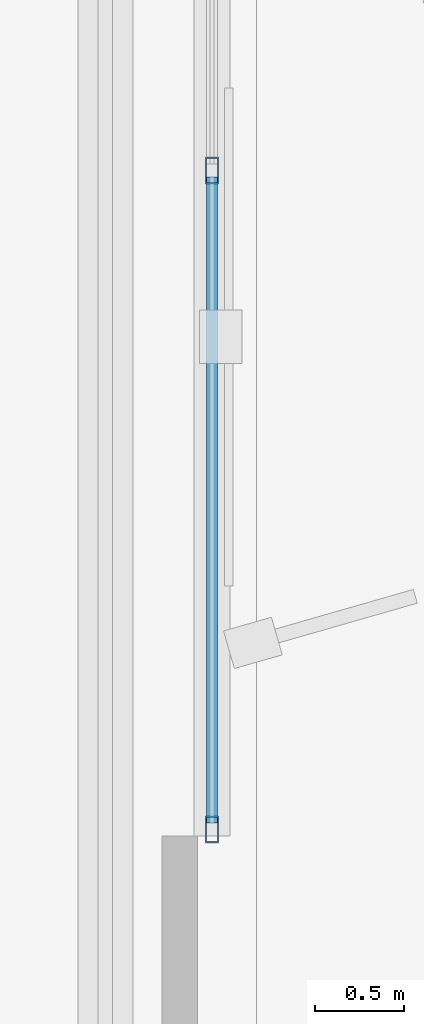
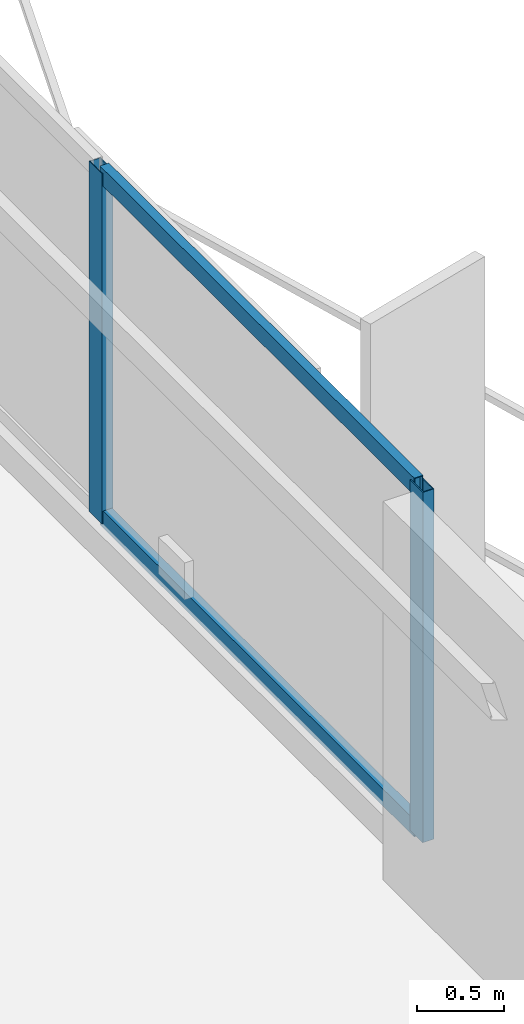
# One storey, part 8 of 23: 4 members, 1 element without a shape of its own.
"""IFC4 building model written with IfcOpenShell, lengths in metres."""

import ifcopenshell
import ifcopenshell.guid

model = None  # the IFC model being written
_history = None  # IfcOwnerHistory: only IFC2X3 demands one
_inside = {}  # id of a spatial element -> (the spatial element, [elements in it])
_under = {}  # id of a project, library or spatial element -> (it, [spatial elements below it])
_declared = {}  # id of a project -> (the project, [libraries it declares])
_typed = {}  # id of a type object -> (the type object, [elements of that type])
_made_of = {}  # id of a material, layer set ... -> (it, [elements and type objects made of it])


def new_model(schema):
    """Start an empty IFC model of exactly this schema.

    Asked for "IFC4X3", IfcOpenShell would pick the latest addendum, in which some entities
    have other attributes; the version numbers below select the first issue.
    IFC2X3 requires an IfcOwnerHistory on every rooted entity: one is made here for all.
    """
    global model, _history
    if schema == "IFC4X3":
        model = ifcopenshell.file(schema_version=(4, 3, 0, 0))
    else:
        model = ifcopenshell.file(schema=schema)
    _inside.clear()
    _under.clear()
    _declared.clear()
    _typed.clear()
    _made_of.clear()
    _history = None
    if model.schema == "IFC2X3":
        org = make("IfcOrganization", Name="unknown")
        user = make(
            "IfcPersonAndOrganization",
            ThePerson=make("IfcPerson", FamilyName="unknown"),
            TheOrganization=org,
        )
        app = make(
            "IfcApplication",
            ApplicationDeveloper=org,
            Version="unknown",
            ApplicationFullName="unknown",
            ApplicationIdentifier="unknown",
        )
        _history = make(
            "IfcOwnerHistory",
            OwningUser=user,
            OwningApplication=app,
            ChangeAction="ADDED",
            CreationDate=0,
        )
    return model


def make(cls, **values):
    """One entity of the class cls with the attributes given. An attribute that is None is left unset."""
    return model.create_entity(
        cls, **{name: value for name, value in values.items() if value is not None}
    )


def rooted(cls, **values):
    """An entity with a GlobalId (a new one), such as an element, a storey or a relation."""
    return make(cls, GlobalId=ifcopenshell.guid.new(), OwnerHistory=_history, **values)


def si_unit(unit_type, name, prefix=None):
    """IfcSIUnit, for example si_unit("LENGTHUNIT", "METRE", prefix="MILLI")."""
    return make("IfcSIUnit", UnitType=unit_type, Prefix=prefix, Name=name)


def assignment(units):
    """IfcUnitAssignment: the units of a project."""
    return None if units is None else make("IfcUnitAssignment", Units=units)


def point(xyz):
    """IfcCartesianPoint."""
    return None if xyz is None else make("IfcCartesianPoint", Coordinates=xyz)


def direction(xyz):
    """IfcDirection."""
    return None if xyz is None else make("IfcDirection", DirectionRatios=xyz)


def frame(location, z_axis=None, x_axis=None):
    """IfcAxis2Placement3D, a coordinate frame: its origin and axes. An axis left out is left unset."""
    return make(
        "IfcAxis2Placement3D",
        Location=point(location),
        Axis=direction(z_axis),
        RefDirection=direction(x_axis),
    )


def frame_2d(location, x_axis=None):
    """IfcAxis2Placement2D, a coordinate frame in the plane: its origin and x axis."""
    return make(
        "IfcAxis2Placement2D", Location=point(location), RefDirection=direction(x_axis)
    )


def origin():
    """The frame at (0, 0, 0) with its axes left unset."""
    return frame((0.0, 0.0, 0.0))


def origin_2d():
    """The frame at (0, 0) in the plane with its x axis left unset."""
    return frame_2d((0.0, 0.0))


def place(relative_to, where):
    """IfcLocalPlacement: puts the frame where relative to a parent placement (None: the world)."""
    return make(
        "IfcLocalPlacement", PlacementRelTo=relative_to, RelativePlacement=where
    )


def context(
    kind, dimensions, precision=None, world=None, true_north=None, identifier=None
):
    """IfcGeometricRepresentationContext, for example the 3D "Model" context."""
    return make(
        "IfcGeometricRepresentationContext",
        ContextIdentifier=identifier,
        ContextType=kind,
        CoordinateSpaceDimension=dimensions,
        Precision=precision,
        WorldCoordinateSystem=world,
        TrueNorth=true_north,
    )


def subcontext(parent, identifier, kind, view, scale=None):
    """IfcGeometricRepresentationSubContext, for example "Body" below "Model"."""
    return make(
        "IfcGeometricRepresentationSubContext",
        ContextIdentifier=identifier,
        ContextType=kind,
        ParentContext=parent,
        TargetScale=scale,
        TargetView=view,
    )


def project(units=None, contexts=None):
    """IfcProject with its units and contexts."""
    return rooted(
        "IfcProject",
        Name="project",
        RepresentationContexts=contexts,
        UnitsInContext=assignment(units),
    )


def spatial(cls, under=None, at=None, **own):
    """A site, building, storey or space (cls), placed at a placement, below another one or the project."""
    s = rooted(cls, ObjectPlacement=at, **own)
    if under is not None:
        _under.setdefault(under.id(), (under, []))[1].append(s)
    return s


def profile(cls, at=None, kind="AREA", **sizes):
    """A parametric profile (cls). Its sizes go by their IFC names, for example OverallWidth=200.0."""
    return make(cls, ProfileType=kind, Position=at, **sizes)


def hollow_rectangle(**sizes):
    """IfcRectangleHollowProfileDef."""
    return profile("IfcRectangleHollowProfileDef", **sizes)


def extrude(swept, where, along, depth):
    """IfcExtrudedAreaSolid: the profile swept, set in the frame where, extruded along a direction by depth."""
    return make(
        "IfcExtrudedAreaSolid",
        SweptArea=swept,
        Position=where,
        ExtrudedDirection=direction(along),
        Depth=depth,
    )


def shape(context_of_items, identifier, shape_type, items):
    """IfcShapeRepresentation: the items that make up one representation, for example the "Body"."""
    return make(
        "IfcShapeRepresentation",
        ContextOfItems=context_of_items,
        RepresentationIdentifier=identifier,
        RepresentationType=shape_type,
        Items=items,
    )


def material(Name=None, Category=None):
    """IfcMaterial."""
    return make("IfcMaterial", Name=Name, Category=Category)


def layer(
    of_material, thickness, ventilated=None, Name=None, Category=None, Priority=None
):
    """IfcMaterialLayer: one layer of a wall or slab, of a material (None: an air gap)."""
    return make(
        "IfcMaterialLayer",
        Material=of_material,
        LayerThickness=thickness,
        IsVentilated=ventilated,
        Name=Name,
        Category=Category,
        Priority=Priority,
    )


def layer_set(layers, Name=None):
    """IfcMaterialLayerSet."""
    return make("IfcMaterialLayerSet", MaterialLayers=layers, LayerSetName=Name)


def material_profile(
    of_material, cross_section, Name=None, Category=None, Priority=None
):
    """IfcMaterialProfile: a cross section and its material."""
    return make(
        "IfcMaterialProfile",
        Name=Name,
        Material=of_material,
        Profile=cross_section,
        Priority=Priority,
        Category=Category,
    )


def profile_set(profiles, Name=None, composite=None):
    """IfcMaterialProfileSet."""
    return make(
        "IfcMaterialProfileSet",
        Name=Name,
        MaterialProfiles=profiles,
        CompositeProfile=composite,
    )


def made_of(thing, what):
    """Note that an element or type object is made of a material, layer set ...; save() writes the relation."""
    if what is not None:
        _made_of.setdefault(what.id(), (what, []))[1].append(thing)
    return thing


def type_object(cls, material=None, **own):
    """A type object (cls), such as IfcWallType, which elements share."""
    return made_of(rooted(cls, **own), material)


def element(
    cls,
    number,
    at=None,
    inside=None,
    cuts=None,
    type_object=None,
    material=None,
    context=None,
    identifier="Body",
    shape_type=None,
    held_by="IfcProductDefinitionShape",
    body=None,
    shapes=None,
    **own,
):
    """One element of the class cls, such as IfcWall. Its Tag is "e" and its number.

    at: its placement. inside: the storey or other place that contains it. cuts: it is an
    opening in that element (IfcRelVoidsElement). A single representation is given by context,
    identifier, shape_type and body (its items); several are given by shapes. held_by: the class
    of the entity that holds the representations. save() writes the other relations.
    """
    e = rooted(cls, Tag="e%d" % number, ObjectPlacement=at, **own)
    if body is not None:
        shapes = [shape(context, identifier, shape_type, body)]
    if shapes is not None:
        e.Representation = make(held_by, Representations=shapes)
    if inside is not None:
        _inside.setdefault(inside.id(), (inside, []))[1].append(e)
    if cuts is not None:
        rooted(
            "IfcRelVoidsElement", RelatingBuildingElement=cuts, RelatedOpeningElement=e
        )
    if type_object is not None:
        _typed.setdefault(type_object.id(), (type_object, []))[1].append(e)
    return made_of(e, material)


def aggregate(whole, parts):
    """IfcRelAggregates: a whole, such as a stair, and the parts it consists of."""
    return rooted("IfcRelAggregates", RelatingObject=whole, RelatedObjects=parts)


def save(model, path):
    """Write the relations noted so far, then the file.

    IfcRelAggregates (storeys below a building ...), IfcRelContainedInSpatialStructure (elements
    in a storey), IfcRelDefinesByType, IfcRelAssociatesMaterial and IfcRelDeclares: one each for
    every whole, place, type object, material and project.
    """
    for whole, parts in _under.values():
        aggregate(whole, parts)
    for where, things in _inside.values():
        rooted(
            "IfcRelContainedInSpatialStructure",
            RelatedElements=things,
            RelatingStructure=where,
        )
    for kind, things in _typed.values():
        rooted("IfcRelDefinesByType", RelatedObjects=things, RelatingType=kind)
    for what, things in _made_of.values():
        rooted("IfcRelAssociatesMaterial", RelatedObjects=things, RelatingMaterial=what)
    for by, libraries in _declared.values():
        rooted("IfcRelDeclares", RelatingContext=by, RelatedDefinitions=libraries)
    model.write(path)


model = new_model("IFC4")

# Units and contexts
model_context = context("Model", 3, precision=1e-05, world=origin(), true_north=direction((0.0, 1.0)))
body_context = subcontext(model_context, "Body", "Model", "MODEL_VIEW")
ifc_project = project(units=[si_unit("LENGTHUNIT", "METRE"), si_unit("AREAUNIT", "SQUARE_METRE"), si_unit("VOLUMEUNIT", "CUBIC_METRE"), si_unit("PLANEANGLEUNIT", "RADIAN"), si_unit("MASSUNIT", "GRAM", prefix="KILO")], contexts=[model_context])

# Site, building, storey
site_placement = place(None, origin())
site = spatial("IfcSite", under=ifc_project, at=site_placement, CompositionType="ELEMENT")
building_placement = place(site_placement, origin())
building = spatial("IfcBuilding", under=site, at=building_placement, Name="Mersakhor Tower and Convention Hall", CompositionType="ELEMENT")
storey_placement = place(building_placement, frame((0.0, 0.0, 96.60009765625)))
storey = spatial("IfcBuildingStorey", under=building, at=storey_placement, Name="L26", CompositionType="ELEMENT", Elevation=96.60009765625)

# Curtain wall, members
ifc_material_1 = material(Name="Dark solar low-E aluminium curtain wall", Category="aluminium")
ifc_layer = layer(ifc_material_1, 0.159912109375)
ifc_layer_set = layer_set([ifc_layer], Name="Dark solar low-E aluminium curtain wall")
curtain_wall_type = type_object("IfcCurtainWallType", Name="CW-SYS-01", PredefinedType="USERDEFINED", material=ifc_layer_set)
curtain_wall_placement = place(storey_placement, origin())
curtain_wall = element("IfcCurtainWall", 1, at=curtain_wall_placement, inside=storey, type_object=curtain_wall_type, Name="L26 Dark-Glass Curtain Wall F2-B2", ObjectType="CURTAIN WALL", PredefinedType="USERDEFINED")
ifc_material_2 = material(Name="Anodised aluminium EN AW-6063 T6", Category="aluminium")
ifc_material_profile_1 = material_profile(ifc_material_2, hollow_rectangle(XDim=0.074951171875, YDim=0.14990234375, WallThickness=0.00634765625, at=origin_2d()), Name="RHS 150x75x6.3")
ifc_profile_set_1 = profile_set([ifc_material_profile_1], Name="Anodised aluminium EN AW-6063 T6")
member_type_1 = type_object("IfcMemberType", Name="CWM-150x75", PredefinedType="MULLION", material=ifc_profile_set_1)
member_1_placement = place(storey_placement, frame((43.03466796875, 24.87841796875, 0.199951171875), z_axis=(0.0, 0.0, 1.0), x_axis=(1.0, 0.0, 0.0)))
member_1 = element("IfcMember", 2, at=member_1_placement, type_object=member_type_1, Name="CW-01 mullion 3", PredefinedType="MULLION", context=body_context, shape_type="SweptSolid", body=[
    extrude(hollow_rectangle(XDim=0.074951171875, YDim=0.14990234375, WallThickness=0.00634765625, at=origin_2d()), origin(), (0.0, 0.0, 1.0), 2.469970703125),
])
member_2_placement = place(storey_placement, frame((43.03466796875, 21.172607421875, 0.199951171875), z_axis=(0.0, 0.0, 1.0), x_axis=(1.0, 0.0, 0.0)))
member_2 = element("IfcMember", 3, at=member_2_placement, type_object=member_type_1, Name="CW-01 mullion 4", PredefinedType="MULLION", context=body_context, shape_type="SweptSolid", body=[
    extrude(hollow_rectangle(XDim=0.074951171875, YDim=0.14990234375, WallThickness=0.00634765625, at=origin_2d()), origin(), (0.0, 0.0, 1.0), 2.469970703125),
])
ifc_material_3 = material(Name="Anodised aluminium EN AW-6063 T6", Category="aluminium")
ifc_material_profile_2 = material_profile(ifc_material_3, hollow_rectangle(XDim=0.06005859375, YDim=0.1201171875, WallThickness=0.0048828125, at=origin_2d()), Name="RHS 120x60x5")
ifc_profile_set_2 = profile_set([ifc_material_profile_2], Name="Anodised aluminium EN AW-6063 T6")
member_type_2 = type_object("IfcMemberType", Name="CWT-120x60", PredefinedType="USERDEFINED", material=ifc_profile_set_2)
member_3_placement = place(storey_placement, frame((43.03466796875, 24.8408203125, 0.22998046875), z_axis=(0.0, -1.0, 0.0), x_axis=(1.0, 0.0, 0.0)))
member_3 = element("IfcMember", 4, at=member_3_placement, type_object=member_type_2, Name="CW-01 transom 3.1", ObjectType="TRANSOM", PredefinedType="USERDEFINED", context=body_context, shape_type="SweptSolid", body=[
    extrude(hollow_rectangle(XDim=0.06005859375, YDim=0.1201171875, WallThickness=0.0048828125, at=origin_2d()), origin(), (0.0, 0.0, 1.0), 3.630615234375),
])
member_4_placement = place(storey_placement, frame((43.03466796875, 24.8408203125, 2.639892578125), z_axis=(0.0, -1.0, 0.0), x_axis=(1.0, 0.0, 0.0)))
member_4 = element("IfcMember", 5, at=member_4_placement, type_object=member_type_2, Name="CW-01 transom 3.2", ObjectType="TRANSOM", PredefinedType="USERDEFINED", context=body_context, shape_type="SweptSolid", body=[
    extrude(hollow_rectangle(XDim=0.06005859375, YDim=0.1201171875, WallThickness=0.0048828125, at=origin_2d()), origin(), (0.0, 0.0, 1.0), 3.630615234375),
])
aggregate(curtain_wall, [member_1, member_2, member_3, member_4])

save(model, "model.ifc")
